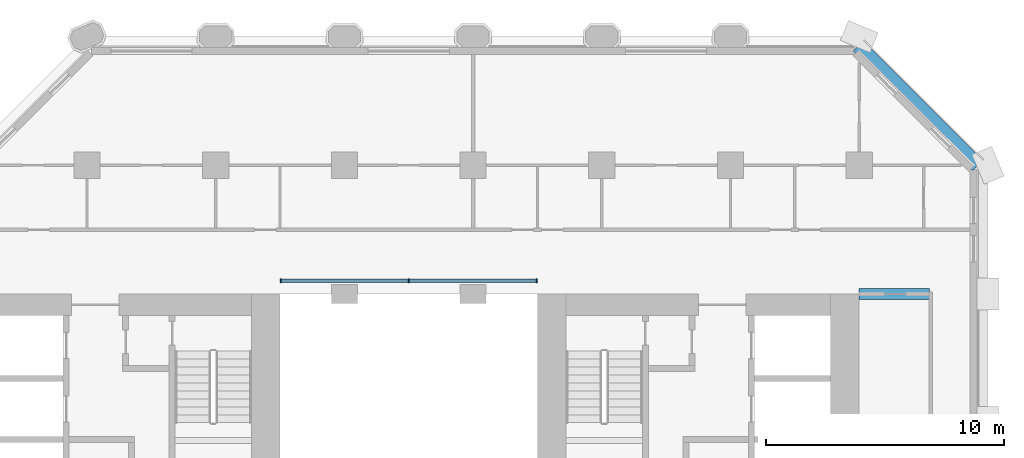
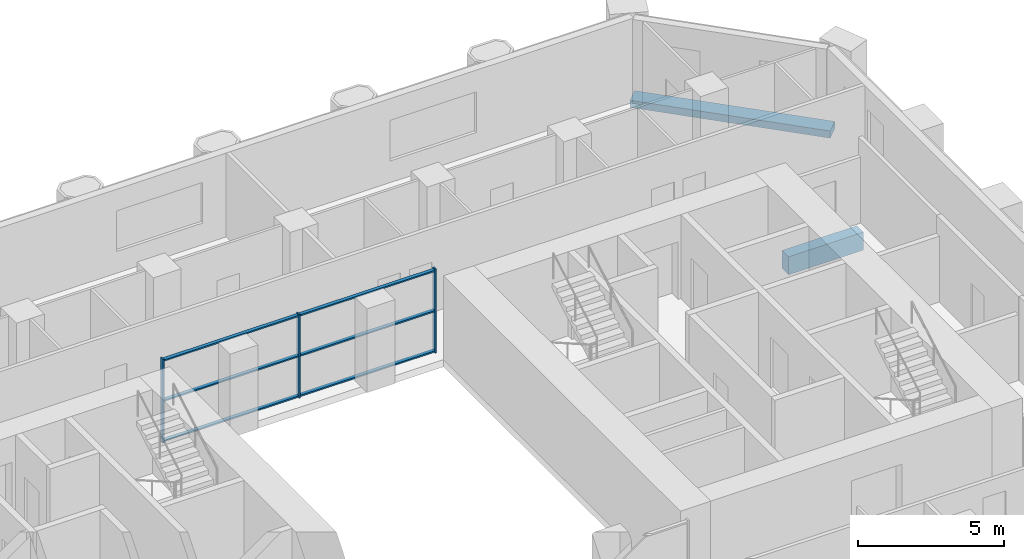
# One storey, part 6 of 13: 9 members, 2 beams, 1 element without a shape of its own.
"""IFC4 building model written with IfcOpenShell, lengths in metres."""

from ifc_helpers import new_model, si_unit, direction, frame, origin, origin_2d, place, context, subcontext, project, spatial, rectangle, extrude, material, material_profile, profile_set, type_object, element, aggregate, save


model = new_model("IFC4")

# Units and contexts
model_context = context("Model", 3, precision=1e-05, world=origin(), true_north=direction((0.0, 1.0)))
body_context = subcontext(model_context, "Body", "Model", "MODEL_VIEW")
ifc_project = project(units=[si_unit("LENGTHUNIT", "METRE"), si_unit("AREAUNIT", "SQUARE_METRE"), si_unit("VOLUMEUNIT", "CUBIC_METRE"), si_unit("PLANEANGLEUNIT", "RADIAN"), si_unit("MASSUNIT", "GRAM", prefix="KILO")], contexts=[model_context])

# Site, building, storey
site_placement = place(None, origin())
site = spatial("IfcSite", under=ifc_project, at=site_placement, CompositionType="ELEMENT")
building_placement = place(site_placement, origin())
building = spatial("IfcBuilding", under=site, at=building_placement, Name="Tabaq Tower and Sports Hall", CompositionType="ELEMENT")
storey_placement = place(building_placement, frame((0.0, 0.0, 37.39990234375)))
storey = spatial("IfcBuildingStorey", under=building, at=storey_placement, Name="L07", CompositionType="ELEMENT", Elevation=37.39990234375)

# Curtain wall, members
ifc_material_1 = material(Name="Aluminium alloy 6063-T6 framed glazing", Category="aluminium")
curtain_wall_type = type_object("IfcCurtainWallType", Name="CW1 curtain wall", PredefinedType="USERDEFINED", material=ifc_material_1)
curtain_wall_placement = place(storey_placement, origin())
curtain_wall = element("IfcCurtainWall", 1, at=curtain_wall_placement, inside=storey, type_object=curtain_wall_type, Name="Atrium glazing L07 N", ObjectType="ATRIUM ENCLOSURE", PredefinedType="USERDEFINED")
ifc_material_2 = material(Name="Aluminium alloy 6063-T6", Category="aluminium")
ifc_material_profile_1 = material_profile(ifc_material_2, rectangle(XDim=0.159912109375, YDim=0.06005859375, at=origin_2d()), Name="MULLION 160x60")
ifc_profile_set_1 = profile_set([ifc_material_profile_1], Name="Aluminium alloy 6063-T6")
member_type_1 = type_object("IfcMemberType", Name="CW1 mullion 160x60", PredefinedType="MULLION", material=ifc_profile_set_1)
member_1_placement = place(storey_placement, frame((18.929931640625, 32.949951171875, 0.0), z_axis=(0.0, 0.0, 1.0), x_axis=(0.0, 1.0, 0.0)))
member_1 = element("IfcMember", 2, at=member_1_placement, type_object=member_type_1, Name="CW1 mullion 1", PredefinedType="MULLION", context=body_context, shape_type="SweptSolid", body=[
    extrude(rectangle(XDim=0.159912109375, YDim=0.06005859375, at=origin_2d()), origin(), (0.0, 0.0, 1.0), 3.5),
])
member_2_placement = place(storey_placement, frame((24.300048828125, 32.949951171875, 0.0), z_axis=(0.0, 0.0, 1.0), x_axis=(0.0, 1.0, 0.0)))
member_2 = element("IfcMember", 3, at=member_2_placement, type_object=member_type_1, Name="CW1 mullion 2", PredefinedType="MULLION", context=body_context, shape_type="SweptSolid", body=[
    extrude(rectangle(XDim=0.159912109375, YDim=0.06005859375, at=origin_2d()), origin(), (0.0, 0.0, 1.0), 3.5),
])
member_3_placement = place(storey_placement, frame((29.669921875, 32.949951171875, 0.0), z_axis=(0.0, 0.0, 1.0), x_axis=(0.0, 1.0, 0.0)))
member_3 = element("IfcMember", 4, at=member_3_placement, type_object=member_type_1, Name="CW1 mullion 3", PredefinedType="MULLION", context=body_context, shape_type="SweptSolid", body=[
    extrude(rectangle(XDim=0.159912109375, YDim=0.06005859375, at=origin_2d()), origin(), (0.0, 0.0, 1.0), 3.5),
])
ifc_material_3 = material(Name="Aluminium alloy 6063-T6", Category="aluminium")
ifc_material_profile_2 = material_profile(ifc_material_3, rectangle(XDim=0.139892578125, YDim=0.06005859375, at=origin_2d()), Name="TRANSOM 140x60")
ifc_profile_set_2 = profile_set([ifc_material_profile_2], Name="Aluminium alloy 6063-T6")
member_type_2 = type_object("IfcMemberType", Name="CW1 transom 140x60", PredefinedType="USERDEFINED", material=ifc_profile_set_2)
member_4_placement = place(storey_placement, frame((18.9599609375, 32.949951171875, 0.070068359375), z_axis=(1.0, 0.0, 0.0), x_axis=(0.0, 1.0, 0.0)))
member_4 = element("IfcMember", 5, at=member_4_placement, type_object=member_type_2, Name="CW1 transom 1.1", ObjectType="TRANSOM", PredefinedType="USERDEFINED", context=body_context, shape_type="SweptSolid", body=[
    extrude(rectangle(XDim=0.139892578125, YDim=0.06005859375, at=origin_2d()), origin(), (0.0, 0.0, 1.0), 5.31005859375),
])
member_5_placement = place(storey_placement, frame((18.9599609375, 32.949951171875, 1.75), z_axis=(1.0, 0.0, 0.0), x_axis=(0.0, 1.0, 0.0)))
member_5 = element("IfcMember", 6, at=member_5_placement, type_object=member_type_2, Name="CW1 transom 1.2", ObjectType="TRANSOM", PredefinedType="USERDEFINED", context=body_context, shape_type="SweptSolid", body=[
    extrude(rectangle(XDim=0.139892578125, YDim=0.06005859375, at=origin_2d()), origin(), (0.0, 0.0, 1.0), 5.31005859375),
])
member_6_placement = place(storey_placement, frame((18.9599609375, 32.949951171875, 3.43017578125), z_axis=(1.0, 0.0, 0.0), x_axis=(0.0, 1.0, 0.0)))
member_6 = element("IfcMember", 7, at=member_6_placement, type_object=member_type_2, Name="CW1 transom 1.3", ObjectType="TRANSOM", PredefinedType="USERDEFINED", context=body_context, shape_type="SweptSolid", body=[
    extrude(rectangle(XDim=0.139892578125, YDim=0.06005859375, at=origin_2d()), origin(), (0.0, 0.0, 1.0), 5.31005859375),
])
member_7_placement = place(storey_placement, frame((24.330078125, 32.949951171875, 0.070068359375), z_axis=(1.0, 0.0, 0.0), x_axis=(0.0, 1.0, 0.0)))
member_7 = element("IfcMember", 8, at=member_7_placement, type_object=member_type_2, Name="CW1 transom 2.1", ObjectType="TRANSOM", PredefinedType="USERDEFINED", context=body_context, shape_type="SweptSolid", body=[
    extrude(rectangle(XDim=0.139892578125, YDim=0.06005859375, at=origin_2d()), origin(), (0.0, 0.0, 1.0), 5.309814453125),
])
member_8_placement = place(storey_placement, frame((24.330078125, 32.949951171875, 1.75), z_axis=(1.0, 0.0, 0.0), x_axis=(0.0, 1.0, 0.0)))
member_8 = element("IfcMember", 9, at=member_8_placement, type_object=member_type_2, Name="CW1 transom 2.2", ObjectType="TRANSOM", PredefinedType="USERDEFINED", context=body_context, shape_type="SweptSolid", body=[
    extrude(rectangle(XDim=0.139892578125, YDim=0.06005859375, at=origin_2d()), origin(), (0.0, 0.0, 1.0), 5.309814453125),
])
member_9_placement = place(storey_placement, frame((24.330078125, 32.949951171875, 3.43017578125), z_axis=(1.0, 0.0, 0.0), x_axis=(0.0, 1.0, 0.0)))
member_9 = element("IfcMember", 10, at=member_9_placement, type_object=member_type_2, Name="CW1 transom 2.3", ObjectType="TRANSOM", PredefinedType="USERDEFINED", context=body_context, shape_type="SweptSolid", body=[
    extrude(rectangle(XDim=0.139892578125, YDim=0.06005859375, at=origin_2d()), origin(), (0.0, 0.0, 1.0), 5.309814453125),
])
aggregate(curtain_wall, [member_1, member_2, member_3, member_4, member_5, member_6, member_7, member_8, member_9])

# Beams
ifc_material_4 = material(Name="Concrete C40/50", Category="concrete")
ifc_material_profile_3 = material_profile(ifc_material_4, rectangle(XDim=0.449951171875, YDim=0.75, at=origin_2d()), Name="CB 450x750")
ifc_profile_set_3 = profile_set([ifc_material_profile_3], Name="Concrete C40/50")
beam_type_1 = type_object("IfcBeamType", Name="PT CANTILEVER BEAM CB 450x750 C40/50", PredefinedType="BEAM", material=ifc_profile_set_3)
beam_1_placement = place(storey_placement, frame((46.14990234375, 32.39990234375, -0.6748046875), z_axis=(-1.0, 0.0, 0.0), x_axis=(0.0, -1.0, 0.0)))
element("IfcBeam", 11, at=beam_1_placement, inside=storey, type_object=beam_type_1, Name="Cantilever Beam L07 E6 span 1", PredefinedType="BEAM", context=body_context, shape_type="SweptSolid", body=[
    extrude(rectangle(XDim=0.449951171875, YDim=0.75, at=origin_2d()), origin(), (0.0, 0.0, 1.0), 2.949951171875),
])
ifc_material_5 = material(Name="Concrete C40/50", Category="concrete")
ifc_material_profile_4 = material_profile(ifc_material_5, rectangle(XDim=0.60009765625, YDim=0.300048828125, at=origin_2d()), Name="EB 600x300")
ifc_profile_set_4 = profile_set([ifc_material_profile_4], Name="Concrete C40/50")
beam_type_2 = type_object("IfcBeamType", Name="PT EDGE BEAM EB 600x300 C40/50", PredefinedType="SPANDREL", material=ifc_profile_set_4)
beam_2_placement = place(storey_placement, frame((48.1767578125, 37.799072265625, -0.14990234375), z_axis=(-0.707124002701, 0.707089559252, 0.0), x_axis=(-0.707089559252, -0.707124002701, 0.0)))
element("IfcBeam", 12, at=beam_2_placement, inside=storey, type_object=beam_type_2, Name="Edge Beam L07 4", PredefinedType="SPANDREL", context=body_context, shape_type="SweptSolid", body=[
    extrude(rectangle(XDim=0.60009765625, YDim=0.300048828125, at=origin_2d()), origin(), (0.0, 0.0, 1.0), 7.088134765625),
])

save(model, "model.ifc")
